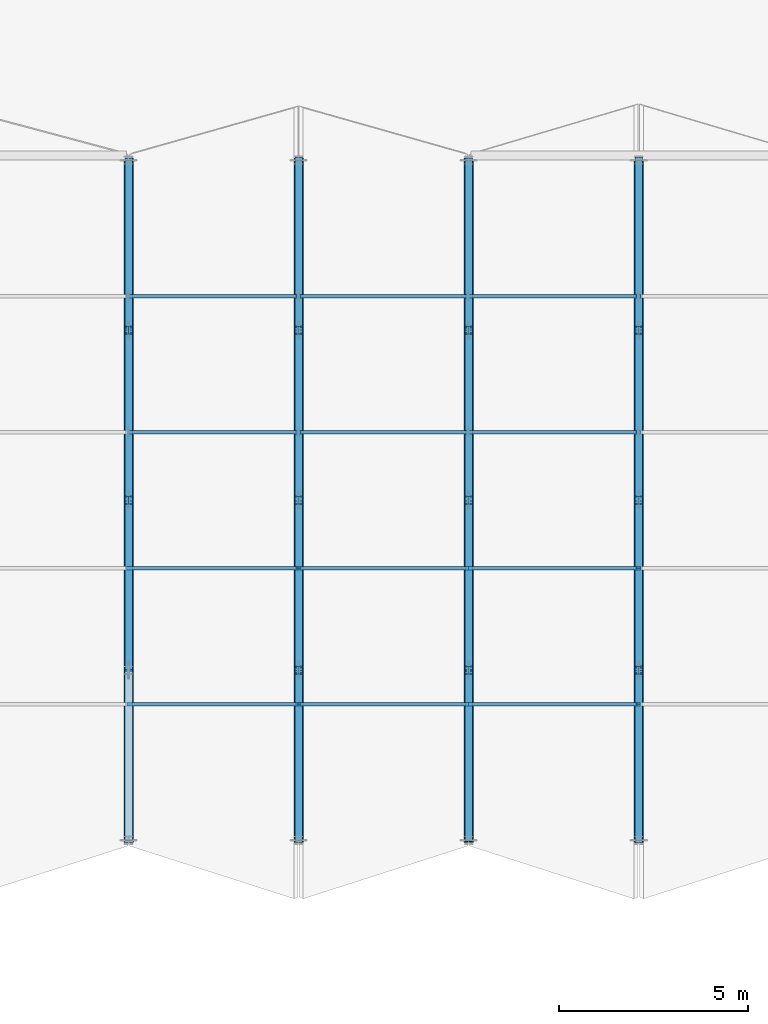
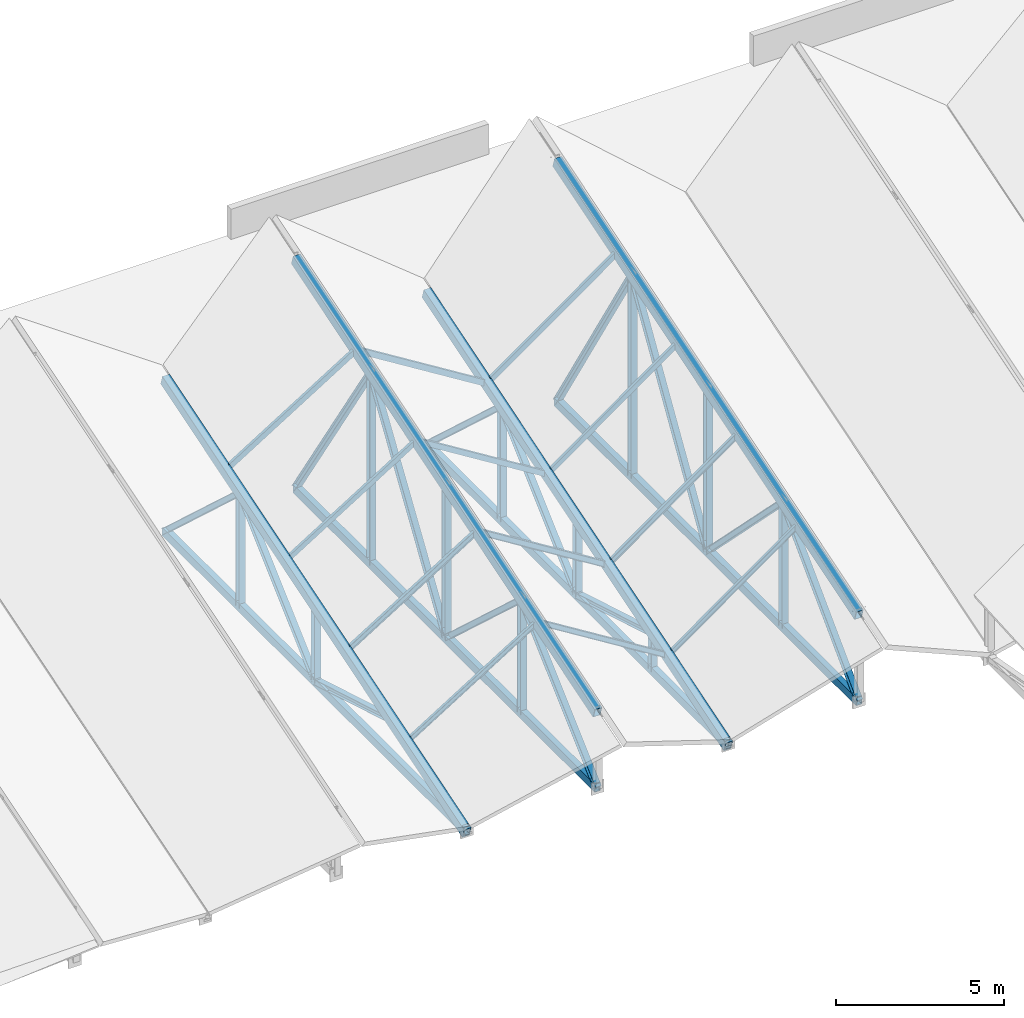
# One storey, part 63 of 142: 46 members.
"""IFC4 building model written with IfcOpenShell, lengths in metres."""

from ifc_helpers import new_model, si_unit, direction, frame, origin, origin_2d, place, context, subcontext, project, spatial, hollow_rectangle, i_section, extrude, material, material_profile, profile_set, type_object, element, save


model = new_model("IFC4")

# Units and contexts
model_context = context("Model", 3, precision=1e-05, world=origin(), true_north=direction((0.0, 1.0)))
body_context = subcontext(model_context, "Body", "Model", "MODEL_VIEW")
ifc_project = project(units=[si_unit("LENGTHUNIT", "METRE"), si_unit("AREAUNIT", "SQUARE_METRE"), si_unit("VOLUMEUNIT", "CUBIC_METRE"), si_unit("PLANEANGLEUNIT", "RADIAN"), si_unit("MASSUNIT", "GRAM", prefix="KILO")], contexts=[model_context])

# Site, building, storey
site_placement = place(None, origin())
site = spatial("IfcSite", under=ifc_project, at=site_placement, CompositionType="ELEMENT")
building_placement = place(site_placement, origin())
building = spatial("IfcBuilding", under=site, at=building_placement, Name="Montelvaro Courts of Justice", CompositionType="ELEMENT")
storey_placement = place(building_placement, frame((0.0, 0.0, 14.39990234375)))
storey = spatial("IfcBuildingStorey", under=building, at=storey_placement, Name="L03", CompositionType="ELEMENT", Elevation=14.39990234375)

# Members
ifc_material = material(Name="Steel S355", Category="steel")
ifc_material_profile_1 = material_profile(ifc_material, i_section(OverallWidth=0.199951171875, OverallDepth=0.18994140625, WebThickness=0.006591796875, FlangeThickness=0.010009765625, at=origin_2d()), Name="HEA 200")
ifc_profile_set_1 = profile_set([ifc_material_profile_1], Name="Steel S355")
member_type_1 = type_object("IfcMemberType", Name="Mem_HEA200_Brace", PredefinedType="BRACE", material=ifc_profile_set_1)
member_1_placement = place(storey_placement, frame((36.0, 82.5, 1.030029296875), z_axis=(0.0, 0.959000997748, -0.283402692857), x_axis=(-1.0, 0.0, 0.0)))
element("IfcMember", 1, at=member_1_placement, inside=storey, type_object=member_type_1, Name="Roof Truss Web MB-02 ROOF-V1-VTR03-W2", PredefinedType="BRACE", context=body_context, shape_type="SweptSolid", body=[
    extrude(i_section(OverallWidth=0.199951171875, OverallDepth=0.18994140625, WebThickness=0.006591796875, FlangeThickness=0.010009765625, at=origin_2d()), origin(), (0.0, 0.0, 1.0), 4.6923828125),
])
for number, where, z_axis, x_axis, name in (
    (2, (36.0, 87.0, -0.2998046875), (0.0, 0.736755804956, 0.676158919089), (-1.0, 0.0, 0.0), "Roof Truss Web MB-02 ROOF-V1-VTR03-W3"),
    (3, (36.0, 91.5, 3.830078125), (0.0, 0.736755804956, -0.676158919089), (-1.0, 0.0, 0.0), "Roof Truss Web MB-02 ROOF-V1-VTR03-W4"),
):
    element("IfcMember", number, at=place(storey_placement, frame(where, z_axis=z_axis, x_axis=x_axis)), inside=storey, type_object=member_type_1, Name=name, PredefinedType="BRACE", context=body_context, shape_type="SweptSolid", body=[
        extrude(i_section(OverallWidth=0.199951171875, OverallDepth=0.18994140625, WebThickness=0.006591796875, FlangeThickness=0.010009765625, at=origin_2d()), origin(), (0.0, 0.0, 1.0), 6.10791015625),
    ])
for number, where, z_axis, x_axis, name in (
    (4, (45.0, 78.0, -0.2998046875), (0.0, 0.959000997748, 0.283402692857), (-1.0, 0.0, 0.0), "Roof Truss Web MB-02 ROOF-V1-VTR04-W1"),
    (5, (45.0, 82.5, 1.030029296875), (0.0, 0.959000997748, -0.283402692857), (-1.0, 0.0, 0.0), "Roof Truss Web MB-02 ROOF-V1-VTR04-W2"),
):
    element("IfcMember", number, at=place(storey_placement, frame(where, z_axis=z_axis, x_axis=x_axis)), inside=storey, type_object=member_type_1, Name=name, PredefinedType="BRACE", context=body_context, shape_type="SweptSolid", body=[
        extrude(i_section(OverallWidth=0.199951171875, OverallDepth=0.18994140625, WebThickness=0.006591796875, FlangeThickness=0.010009765625, at=origin_2d()), origin(), (0.0, 0.0, 1.0), 4.6923828125),
    ])
for number, where, z_axis, x_axis, name in (
    (6, (45.0, 87.0, -0.2998046875), (0.0, 0.736755804956, 0.676158919089), (-1.0, 0.0, 0.0), "Roof Truss Web MB-02 ROOF-V1-VTR04-W3"),
    (7, (45.0, 91.5, 3.830078125), (0.0, 0.736755804956, -0.676158919089), (-1.0, 0.0, 0.0), "Roof Truss Web MB-02 ROOF-V1-VTR04-W4"),
    (8, (40.5, 78.0, -0.2998046875), (0.0, 0.736755804956, 0.676158919089), (-1.0, 0.0, 0.0), "Roof Truss Web MB-02 ROOF-V1-RTR03-W1"),
    (9, (40.5, 82.5, 3.830078125), (0.0, 0.736755804956, -0.676158919089), (-1.0, 0.0, 0.0), "Roof Truss Web MB-02 ROOF-V1-RTR03-W2"),
):
    element("IfcMember", number, at=place(storey_placement, frame(where, z_axis=z_axis, x_axis=x_axis)), inside=storey, type_object=member_type_1, Name=name, PredefinedType="BRACE", context=body_context, shape_type="SweptSolid", body=[
        extrude(i_section(OverallWidth=0.199951171875, OverallDepth=0.18994140625, WebThickness=0.006591796875, FlangeThickness=0.010009765625, at=origin_2d()), origin(), (0.0, 0.0, 1.0), 6.10791015625),
    ])
for number, where, z_axis, x_axis, name in (
    (10, (40.5, 87.0, -0.2998046875), (0.0, 0.544609221659, 0.838689928212), (-1.0, 0.0, 0.0), "Roof Truss Web MB-02 ROOF-V1-RTR03-W3"),
    (11, (40.5, 91.5, 6.630126953125), (0.0, 0.544609221659, -0.838689928212), (-1.0, 0.0, 0.0), "Roof Truss Web MB-02 ROOF-V1-RTR03-W4"),
):
    element("IfcMember", number, at=place(storey_placement, frame(where, z_axis=z_axis, x_axis=x_axis)), inside=storey, type_object=member_type_1, Name=name, PredefinedType="BRACE", context=body_context, shape_type="SweptSolid", body=[
        extrude(i_section(OverallWidth=0.199951171875, OverallDepth=0.18994140625, WebThickness=0.006591796875, FlangeThickness=0.010009765625, at=origin_2d()), origin(), (0.0, 0.0, 1.0), 8.2626953125),
    ])
for number, where, z_axis, x_axis, name in (
    (12, (49.5, 78.0, -0.2998046875), (0.0, 0.704770523287, 0.709435345544), (-1.0, 0.0, 0.0), "Roof Truss Web MB-02 ROOF-V1-RTR04-W1"),
    (13, (49.5, 82.5, 4.22998046875), (0.0, 0.704770523287, -0.709435345544), (-1.0, 0.0, 0.0), "Roof Truss Web MB-02 ROOF-V1-RTR04-W2"),
):
    element("IfcMember", number, at=place(storey_placement, frame(where, z_axis=z_axis, x_axis=x_axis)), inside=storey, type_object=member_type_1, Name=name, PredefinedType="BRACE", context=body_context, shape_type="SweptSolid", body=[
        extrude(i_section(OverallWidth=0.199951171875, OverallDepth=0.18994140625, WebThickness=0.006591796875, FlangeThickness=0.010009765625, at=origin_2d()), origin(), (0.0, 0.0, 1.0), 6.385009765625),
    ])
for number, where, z_axis, x_axis, name in (
    (14, (49.5, 87.0, -0.2998046875), (0.0, 0.523197575604, 0.852211415602), (-1.0, 0.0, 0.0), "Roof Truss Web MB-02 ROOF-V1-RTR04-W3"),
    (15, (49.5, 91.5, 7.030029296875), (0.0, 0.523197575604, -0.852211415602), (-1.0, 0.0, 0.0), "Roof Truss Web MB-02 ROOF-V1-RTR04-W4"),
):
    element("IfcMember", number, at=place(storey_placement, frame(where, z_axis=z_axis, x_axis=x_axis)), inside=storey, type_object=member_type_1, Name=name, PredefinedType="BRACE", context=body_context, shape_type="SweptSolid", body=[
        extrude(i_section(OverallWidth=0.199951171875, OverallDepth=0.18994140625, WebThickness=0.006591796875, FlangeThickness=0.010009765625, at=origin_2d()), origin(), (0.0, 0.0, 1.0), 8.60107421875),
    ])
ifc_material_profile_2 = material_profile(ifc_material, i_section(OverallWidth=0.219970703125, OverallDepth=0.2099609375, WebThickness=0.007080078125, FlangeThickness=0.010986328125, at=origin_2d()), Name="HEA 220")
ifc_profile_set_2 = profile_set([ifc_material_profile_2], Name="Steel S355")
member_type_2 = type_object("IfcMemberType", Name="Mem_HEA220_Post", PredefinedType="POST", material=ifc_profile_set_2)
member_2_placement = place(storey_placement, frame((36.0, 87.0, -0.2998046875), z_axis=(0.0, 0.0, 1.0), x_axis=(1.0, 0.0, 0.0)))
element("IfcMember", 16, at=member_2_placement, inside=storey, type_object=member_type_2, Name="Roof Truss Post MP-03 ROOF-V1-VTR03-V2", PredefinedType="POST", context=body_context, shape_type="SweptSolid", body=[
    extrude(i_section(OverallWidth=0.219970703125, OverallDepth=0.2099609375, WebThickness=0.007080078125, FlangeThickness=0.010986328125, at=origin_2d()), origin(), (0.0, 0.0, 1.0), 2.72998046875),
])
member_3_placement = place(storey_placement, frame((36.0, 91.5, -0.2998046875), z_axis=(0.0, 0.0, 1.0), x_axis=(1.0, 0.0, 0.0)))
element("IfcMember", 17, at=member_3_placement, inside=storey, type_object=member_type_2, Name="Roof Truss Post MP-03 ROOF-V1-VTR03-V3", PredefinedType="POST", context=body_context, shape_type="SweptSolid", body=[
    extrude(i_section(OverallWidth=0.219970703125, OverallDepth=0.2099609375, WebThickness=0.007080078125, FlangeThickness=0.010986328125, at=origin_2d()), origin(), (0.0, 0.0, 1.0), 4.1298828125),
])
member_4_placement = place(storey_placement, frame((45.0, 82.5, -0.2998046875), z_axis=(0.0, 0.0, 1.0), x_axis=(1.0, 0.0, 0.0)))
element("IfcMember", 18, at=member_4_placement, inside=storey, type_object=member_type_2, Name="Roof Truss Post MP-03 ROOF-V1-VTR04-V1", PredefinedType="POST", context=body_context, shape_type="SweptSolid", body=[
    extrude(i_section(OverallWidth=0.219970703125, OverallDepth=0.2099609375, WebThickness=0.007080078125, FlangeThickness=0.010986328125, at=origin_2d()), origin(), (0.0, 0.0, 1.0), 1.329833984375),
])
member_5_placement = place(storey_placement, frame((45.0, 87.0, -0.2998046875), z_axis=(0.0, 0.0, 1.0), x_axis=(1.0, 0.0, 0.0)))
element("IfcMember", 19, at=member_5_placement, inside=storey, type_object=member_type_2, Name="Roof Truss Post MP-03 ROOF-V1-VTR04-V2", PredefinedType="POST", context=body_context, shape_type="SweptSolid", body=[
    extrude(i_section(OverallWidth=0.219970703125, OverallDepth=0.2099609375, WebThickness=0.007080078125, FlangeThickness=0.010986328125, at=origin_2d()), origin(), (0.0, 0.0, 1.0), 2.72998046875),
])
for number, where, z_axis, x_axis, name in (
    (20, (45.0, 91.5, -0.2998046875), (0.0, 0.0, 1.0), (1.0, 0.0, 0.0), "Roof Truss Post MP-03 ROOF-V1-VTR04-V3"),
    (21, (40.5, 82.5, -0.2998046875), (0.0, 0.0, 1.0), (1.0, 0.0, 0.0), "Roof Truss Post MP-03 ROOF-V1-RTR03-V1"),
):
    element("IfcMember", number, at=place(storey_placement, frame(where, z_axis=z_axis, x_axis=x_axis)), inside=storey, type_object=member_type_2, Name=name, PredefinedType="POST", context=body_context, shape_type="SweptSolid", body=[
        extrude(i_section(OverallWidth=0.219970703125, OverallDepth=0.2099609375, WebThickness=0.007080078125, FlangeThickness=0.010986328125, at=origin_2d()), origin(), (0.0, 0.0, 1.0), 4.1298828125),
    ])
member_6_placement = place(storey_placement, frame((40.5, 87.0, -0.2998046875), z_axis=(0.0, 0.0, 1.0), x_axis=(1.0, 0.0, 0.0)))
element("IfcMember", 22, at=member_6_placement, inside=storey, type_object=member_type_2, Name="Roof Truss Post MP-03 ROOF-V1-RTR03-V2", PredefinedType="POST", context=body_context, shape_type="SweptSolid", body=[
    extrude(i_section(OverallWidth=0.219970703125, OverallDepth=0.2099609375, WebThickness=0.007080078125, FlangeThickness=0.010986328125, at=origin_2d()), origin(), (0.0, 0.0, 1.0), 5.52978515625),
])
member_7_placement = place(storey_placement, frame((40.5, 91.5, -0.2998046875), z_axis=(0.0, 0.0, 1.0), x_axis=(1.0, 0.0, 0.0)))
element("IfcMember", 23, at=member_7_placement, inside=storey, type_object=member_type_2, Name="Roof Truss Post MP-03 ROOF-V1-RTR03-V3", PredefinedType="POST", context=body_context, shape_type="SweptSolid", body=[
    extrude(i_section(OverallWidth=0.219970703125, OverallDepth=0.2099609375, WebThickness=0.007080078125, FlangeThickness=0.010986328125, at=origin_2d()), origin(), (0.0, 0.0, 1.0), 6.929931640625),
])
member_8_placement = place(storey_placement, frame((49.5, 82.5, -0.2998046875), z_axis=(0.0, 0.0, 1.0), x_axis=(1.0, 0.0, 0.0)))
element("IfcMember", 24, at=member_8_placement, inside=storey, type_object=member_type_2, Name="Roof Truss Post MP-03 ROOF-V1-RTR04-V1", PredefinedType="POST", context=body_context, shape_type="SweptSolid", body=[
    extrude(i_section(OverallWidth=0.219970703125, OverallDepth=0.2099609375, WebThickness=0.007080078125, FlangeThickness=0.010986328125, at=origin_2d()), origin(), (0.0, 0.0, 1.0), 4.52978515625),
])
member_9_placement = place(storey_placement, frame((49.5, 87.0, -0.2998046875), z_axis=(0.0, 0.0, 1.0), x_axis=(1.0, 0.0, 0.0)))
element("IfcMember", 25, at=member_9_placement, inside=storey, type_object=member_type_2, Name="Roof Truss Post MP-03 ROOF-V1-RTR04-V2", PredefinedType="POST", context=body_context, shape_type="SweptSolid", body=[
    extrude(i_section(OverallWidth=0.219970703125, OverallDepth=0.2099609375, WebThickness=0.007080078125, FlangeThickness=0.010986328125, at=origin_2d()), origin(), (0.0, 0.0, 1.0), 5.929931640625),
])
member_10_placement = place(storey_placement, frame((49.5, 91.5, -0.2998046875), z_axis=(0.0, 0.0, 1.0), x_axis=(1.0, 0.0, 0.0)))
element("IfcMember", 26, at=member_10_placement, inside=storey, type_object=member_type_2, Name="Roof Truss Post MP-03 ROOF-V1-RTR04-V3", PredefinedType="POST", context=body_context, shape_type="SweptSolid", body=[
    extrude(i_section(OverallWidth=0.219970703125, OverallDepth=0.2099609375, WebThickness=0.007080078125, FlangeThickness=0.010986328125, at=origin_2d()), origin(), (0.0, 0.0, 1.0), 7.329833984375),
])
ifc_material_profile_3 = material_profile(ifc_material, i_section(OverallWidth=0.091064453125, OverallDepth=0.179931640625, WebThickness=0.00537109375, FlangeThickness=0.008056640625, at=origin_2d()), Name="IPE 180")
ifc_profile_set_3 = profile_set([ifc_material_profile_3], Name="Steel S355")
member_type_3 = type_object("IfcMemberType", Name="Mem_IPE180_Purlin", PredefinedType="PURLIN", material=ifc_profile_set_3)
for number, where, z_axis, x_axis, name in (
    (27, (36.0, 81.60009765625, 0.75), (0.849052471267, 0.0, 0.528308528264), (0.0, 1.0, 0.0), "Roof Purlin MR-01 ROOF-V1-PRL-03-1L"),
    (28, (40.5, 81.60009765625, 3.550048828125), (0.849052471267, 0.0, -0.528308528264), (0.0, 1.0, 0.0), "Roof Purlin MR-01 ROOF-V1-PRL-03-1R"),
):
    element("IfcMember", number, at=place(storey_placement, frame(where, z_axis=z_axis, x_axis=x_axis)), inside=storey, type_object=member_type_3, Name=name, PredefinedType="PURLIN", context=body_context, shape_type="SweptSolid", body=[
        extrude(i_section(OverallWidth=0.091064453125, OverallDepth=0.179931640625, WebThickness=0.00537109375, FlangeThickness=0.008056640625, at=origin_2d()), origin(), (0.0, 0.0, 1.0), 5.300048828125),
    ])
member_11_placement = place(storey_placement, frame((45.0, 81.60009765625, 0.75), z_axis=(0.814938619191, 0.0, 0.57954727758), x_axis=(0.0, 1.0, 0.0)))
element("IfcMember", 29, at=member_11_placement, inside=storey, type_object=member_type_3, Name="Roof Purlin MR-01 ROOF-V1-PRL-04-1L", PredefinedType="PURLIN", context=body_context, shape_type="SweptSolid", body=[
    extrude(i_section(OverallWidth=0.091064453125, OverallDepth=0.179931640625, WebThickness=0.00537109375, FlangeThickness=0.008056640625, at=origin_2d()), origin(), (0.0, 0.0, 1.0), 5.52197265625),
])
ifc_material_profile_4 = material_profile(ifc_material, i_section(OverallWidth=0.10009765625, OverallDepth=0.199951171875, WebThickness=0.005615234375, FlangeThickness=0.008544921875, at=origin_2d()), Name="IPE 200")
ifc_profile_set_4 = profile_set([ifc_material_profile_4], Name="Steel S355")
member_type_4 = type_object("IfcMemberType", Name="Mem_IPE200_Purlin", PredefinedType="PURLIN", material=ifc_profile_set_4)
for number, where, z_axis, x_axis, name in (
    (30, (36.0, 85.199951171875, 1.8701171875), (0.849052471267, 0.0, 0.528308528264), (0.0, 1.0, 0.0), "Roof Purlin MR-02 ROOF-V1-PRL-03-2L"),
    (31, (40.5, 85.199951171875, 4.670166015625), (0.849052471267, 0.0, -0.528308528264), (0.0, 1.0, 0.0), "Roof Purlin MR-02 ROOF-V1-PRL-03-2R"),
):
    element("IfcMember", number, at=place(storey_placement, frame(where, z_axis=z_axis, x_axis=x_axis)), inside=storey, type_object=member_type_4, Name=name, PredefinedType="PURLIN", context=body_context, shape_type="SweptSolid", body=[
        extrude(i_section(OverallWidth=0.10009765625, OverallDepth=0.199951171875, WebThickness=0.005615234375, FlangeThickness=0.008544921875, at=origin_2d()), origin(), (0.0, 0.0, 1.0), 5.300048828125),
    ])
member_12_placement = place(storey_placement, frame((45.0, 85.199951171875, 1.8701171875), z_axis=(0.814959500914, 0.0, 0.579517913329), x_axis=(0.0, 1.0, 0.0)))
element("IfcMember", 32, at=member_12_placement, inside=storey, type_object=member_type_4, Name="Roof Purlin MR-02 ROOF-V1-PRL-04-2L", PredefinedType="PURLIN", context=body_context, shape_type="SweptSolid", body=[
    extrude(i_section(OverallWidth=0.10009765625, OverallDepth=0.199951171875, WebThickness=0.005615234375, FlangeThickness=0.008544921875, at=origin_2d()), origin(), (0.0, 0.0, 1.0), 5.521728515625),
])
ifc_material_profile_5 = material_profile(ifc_material, hollow_rectangle(XDim=0.10009765625, YDim=0.179931640625, WallThickness=0.008056640625, at=origin_2d()), Name="RHS 180x100x8")
ifc_profile_set_5 = profile_set([ifc_material_profile_5], Name="Steel S355")
member_type_5 = type_object("IfcMemberType", Name="Mem_RHS180_Purlin", PredefinedType="PURLIN", material=ifc_profile_set_5)
for number, where, z_axis, x_axis, name in (
    (33, (36.0, 88.800048828125, 2.989990234375), (0.849052471267, 0.0, 0.528308528264), (0.0, 1.0, 0.0), "Roof Purlin MR-03 ROOF-V1-PRL-03-3L"),
    (34, (40.5, 88.800048828125, 5.7900390625), (0.849052471267, 0.0, -0.528308528264), (0.0, 1.0, 0.0), "Roof Purlin MR-03 ROOF-V1-PRL-03-3R"),
):
    element("IfcMember", number, at=place(storey_placement, frame(where, z_axis=z_axis, x_axis=x_axis)), inside=storey, type_object=member_type_5, Name=name, PredefinedType="PURLIN", context=body_context, shape_type="SweptSolid", body=[
        extrude(hollow_rectangle(XDim=0.10009765625, YDim=0.179931640625, WallThickness=0.008056640625, at=origin_2d()), origin(), (0.0, 0.0, 1.0), 5.300048828125),
    ])
member_13_placement = place(storey_placement, frame((45.0, 88.800048828125, 2.989990234375), z_axis=(0.814938619191, 0.0, 0.57954727758), x_axis=(0.0, 1.0, 0.0)))
element("IfcMember", 35, at=member_13_placement, inside=storey, type_object=member_type_5, Name="Roof Purlin MR-03 ROOF-V1-PRL-04-3L", PredefinedType="PURLIN", context=body_context, shape_type="SweptSolid", body=[
    extrude(hollow_rectangle(XDim=0.10009765625, YDim=0.179931640625, WallThickness=0.008056640625, at=origin_2d()), origin(), (0.0, 0.0, 1.0), 5.52197265625),
])
ifc_material_profile_6 = material_profile(ifc_material, hollow_rectangle(XDim=0.10009765625, YDim=0.199951171875, WallThickness=0.008056640625, at=origin_2d()), Name="RHS 200x100x8")
ifc_profile_set_6 = profile_set([ifc_material_profile_6], Name="Steel S355")
member_type_6 = type_object("IfcMemberType", Name="Mem_RHS200_Purlin", PredefinedType="PURLIN", material=ifc_profile_set_6)
for number, where, z_axis, x_axis, name in (
    (36, (36.0, 92.39990234375, 4.110107421875), (0.849052471267, 0.0, 0.528308528264), (0.0, 1.0, 0.0), "Roof Purlin MR-04 ROOF-V1-PRL-03-4L"),
    (37, (40.5, 92.39990234375, 6.91015625), (0.849052471267, 0.0, -0.528308528264), (0.0, 1.0, 0.0), "Roof Purlin MR-04 ROOF-V1-PRL-03-4R"),
):
    element("IfcMember", number, at=place(storey_placement, frame(where, z_axis=z_axis, x_axis=x_axis)), inside=storey, type_object=member_type_6, Name=name, PredefinedType="PURLIN", context=body_context, shape_type="SweptSolid", body=[
        extrude(hollow_rectangle(XDim=0.10009765625, YDim=0.199951171875, WallThickness=0.008056640625, at=origin_2d()), origin(), (0.0, 0.0, 1.0), 5.300048828125),
    ])
member_14_placement = place(storey_placement, frame((45.0, 92.39990234375, 4.110107421875), z_axis=(0.814959500914, 0.0, 0.579517913329), x_axis=(0.0, 1.0, 0.0)))
element("IfcMember", 38, at=member_14_placement, inside=storey, type_object=member_type_6, Name="Roof Purlin MR-04 ROOF-V1-PRL-04-4L", PredefinedType="PURLIN", context=body_context, shape_type="SweptSolid", body=[
    extrude(hollow_rectangle(XDim=0.10009765625, YDim=0.199951171875, WallThickness=0.008056640625, at=origin_2d()), origin(), (0.0, 0.0, 1.0), 5.521728515625),
])
ifc_material_profile_7 = material_profile(ifc_material, hollow_rectangle(XDim=0.199951171875, YDim=0.300048828125, WallThickness=0.012451171875, at=origin_2d()), Name="RHS 300x200x12.5")
ifc_profile_set_7 = profile_set([ifc_material_profile_7], Name="Steel S355")
member_type_7 = type_object("IfcMemberType", Name="Mem_RHS300_Chord", PredefinedType="CHORD", material=ifc_profile_set_7)
for number, where, z_axis, x_axis, name in (
    (39, (36.0, 78.0, -0.2998046875), (0.0, 1.0, 0.0), (-1.0, 0.0, 0.0), "Roof Truss ROOF-V1-VTR03 Bottom Chord"),
    (40, (45.0, 78.0, -0.2998046875), (0.0, 1.0, 0.0), (-1.0, 0.0, 0.0), "Roof Truss ROOF-V1-VTR04 Bottom Chord"),
    (41, (40.5, 78.0, -0.2998046875), (0.0, 1.0, 0.0), (-1.0, 0.0, 0.0), "Roof Truss ROOF-V1-RTR03 Bottom Chord"),
    (42, (49.5, 78.0, -0.2998046875), (0.0, 1.0, 0.0), (-1.0, 0.0, 0.0), "Roof Truss ROOF-V1-RTR04 Bottom Chord"),
):
    element("IfcMember", number, at=place(storey_placement, frame(where, z_axis=z_axis, x_axis=x_axis)), inside=storey, type_object=member_type_7, Name=name, PredefinedType="CHORD", context=body_context, shape_type="SweptSolid", body=[
        extrude(hollow_rectangle(XDim=0.199951171875, YDim=0.300048828125, WallThickness=0.012451171875, at=origin_2d()), origin(), (0.0, 0.0, 1.0), 18.0),
    ])
ifc_material_profile_8 = material_profile(ifc_material, hollow_rectangle(XDim=0.25, YDim=0.35009765625, WallThickness=0.012451171875, at=origin_2d()), Name="RHS 350x250x12.5")
ifc_profile_set_8 = profile_set([ifc_material_profile_8], Name="Steel S355")
member_type_8 = type_object("IfcMemberType", Name="Mem_RHS350_Chord", PredefinedType="CHORD", material=ifc_profile_set_8)
for number, where, z_axis, x_axis, name in (
    (43, (36.0, 78.0, -0.369873046875), (0.0, 0.9548589805, 0.297059467715), (-1.0, 0.0, 0.0), "Roof Truss ROOF-V1-VTR03 Top Chord"),
    (44, (45.0, 78.0, -0.369873046875), (0.0, 0.9548589805, 0.297059467715), (-1.0, 0.0, 0.0), "Roof Truss ROOF-V1-VTR04 Top Chord"),
    (45, (40.5, 78.0, 2.43017578125), (0.0, 0.9548589805, 0.297059467715), (-1.0, 0.0, 0.0), "Roof Truss ROOF-V1-RTR03 Top Chord"),
):
    element("IfcMember", number, at=place(storey_placement, frame(where, z_axis=z_axis, x_axis=x_axis)), inside=storey, type_object=member_type_8, Name=name, PredefinedType="CHORD", context=body_context, shape_type="SweptSolid", body=[
        extrude(hollow_rectangle(XDim=0.25, YDim=0.35009765625, WallThickness=0.012451171875, at=origin_2d()), origin(), (0.0, 0.0, 1.0), 18.850830078125),
    ])
member_15_placement = place(storey_placement, frame((49.5, 78.0, 2.830078125), z_axis=(0.0, 0.954855306861, 0.29707127589), x_axis=(-1.0, 0.0, 0.0)))
element("IfcMember", 46, at=member_15_placement, inside=storey, type_object=member_type_8, Name="Roof Truss ROOF-V1-RTR04 Top Chord", PredefinedType="CHORD", context=body_context, shape_type="SweptSolid", body=[
    extrude(hollow_rectangle(XDim=0.25, YDim=0.35009765625, WallThickness=0.012451171875, at=origin_2d()), origin(), (0.0, 0.0, 1.0), 18.85107421875),
])

save(model, "model.ifc")
